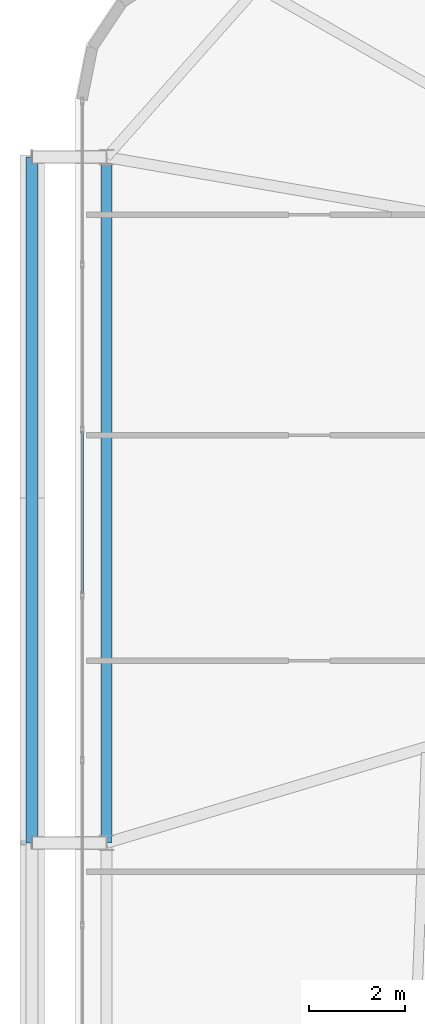
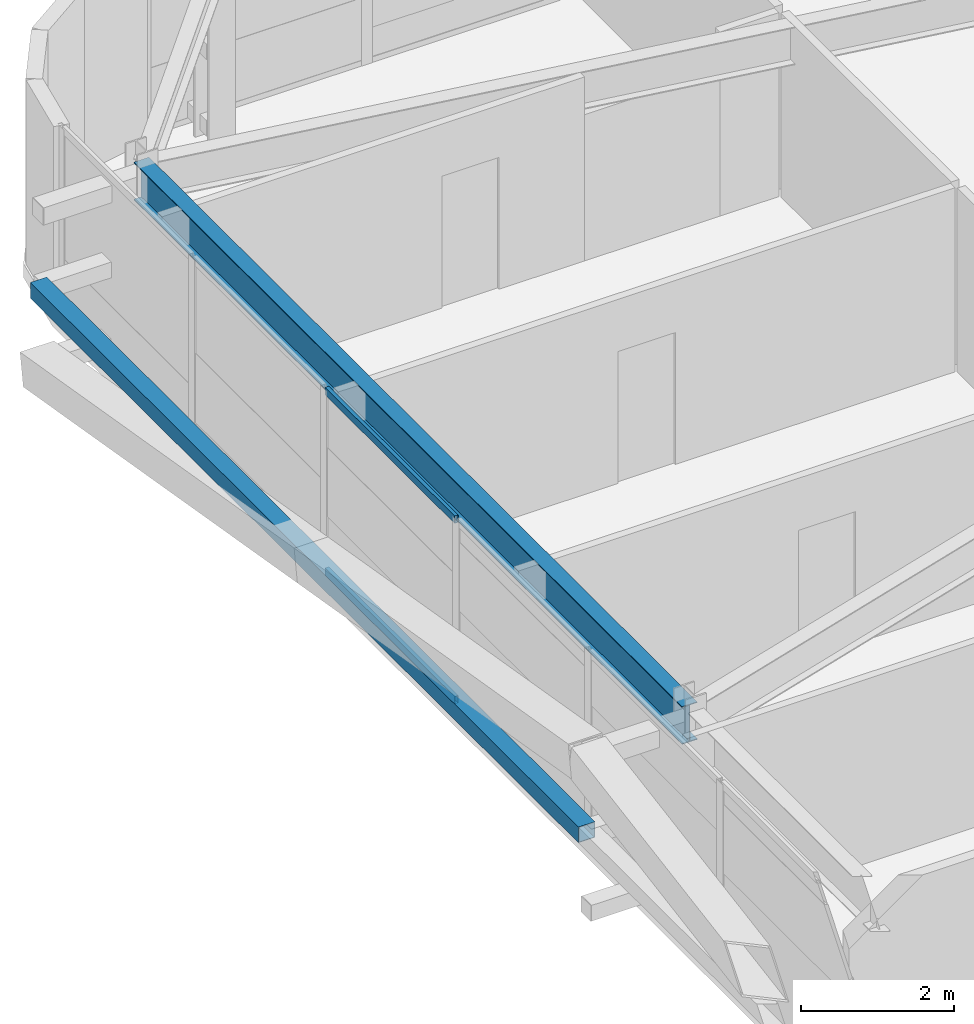
# One storey, part 17 of 59: 3 members, 1 beam, 1 element without a shape of its own.
"""IFC4 building model written with IfcOpenShell, lengths in metres."""

from ifc_helpers import new_model, si_unit, direction, frame, origin, origin_2d, place, context, subcontext, project, spatial, hollow_rectangle, i_section, extrude, source, transform, mapped, material, layer, layer_set, material_profile, profile_set, type_object, element, aggregate, save


model = new_model("IFC4")

# Units and contexts
model_context = context("Model", 3, precision=1e-05, world=origin(), true_north=direction((0.0, 1.0)))
body_context = subcontext(model_context, "Body", "Model", "MODEL_VIEW")
ifc_project = project(units=[si_unit("LENGTHUNIT", "METRE"), si_unit("AREAUNIT", "SQUARE_METRE"), si_unit("VOLUMEUNIT", "CUBIC_METRE"), si_unit("PLANEANGLEUNIT", "RADIAN"), si_unit("MASSUNIT", "GRAM", prefix="KILO")], contexts=[model_context])

# Site, building, storey
site_placement = place(None, origin())
site = spatial("IfcSite", under=ifc_project, at=site_placement, CompositionType="ELEMENT")
building_placement = place(site_placement, origin())
building = spatial("IfcBuilding", under=site, at=building_placement, Name="Taldren Reach Tower", CompositionType="ELEMENT")
storey_placement = place(building_placement, frame((0.0, 0.0, 23.10009765625)))
storey = spatial("IfcBuildingStorey", under=building, at=storey_placement, Name="L06", CompositionType="ELEMENT", Elevation=23.10009765625)

# Beam
ifc_material_1 = material(Name="Steel Gr 350 (350PLUS)", Category="steel")
ifc_material_profile_1 = material_profile(ifc_material_1, i_section(OverallWidth=0.22802734375, OverallDepth=0.60205078125, WebThickness=0.010498046875, FlangeThickness=0.014892578125, at=origin_2d()), Name="610UB101")
ifc_profile_set_1 = profile_set([ifc_material_profile_1], Name="Steel Gr 350 (350PLUS)")
beam_type = type_object("IfcBeamType", Name="BM-UB610B", PredefinedType="BEAM", material=ifc_profile_set_1)
shared_shape_1 = source(origin(), body_context, "Body", "SweptSolid", [
    extrude(i_section(OverallWidth=0.22802734375, OverallDepth=0.60205078125, WebThickness=0.010498046875, FlangeThickness=0.014892578125, at=origin_2d()), origin(), (0.0, 0.0, 1.0), 14.300048828125),
])
beam_placement = place(storey_placement, frame((5.64990234375, 34.300048828125, 2.62890625), z_axis=(0.0, -1.0, 0.0), x_axis=(1.0, 0.0, 0.0)))
element("IfcBeam", 1, at=beam_placement, inside=storey, type_object=beam_type, Name="Perimeter gable girder B1 W3-W2 L06", PredefinedType="BEAM", context=body_context, shape_type="MappedRepresentation", body=[
    mapped(shared_shape_1, transform((0.0, 0.0, 0.0), scale=1.0)),
])

# Member
ifc_material_2 = material(Name="Steel Gr 350 (C350L0)", Category="steel")
ifc_material_profile_2 = material_profile(ifc_material_2, hollow_rectangle(XDim=0.25, YDim=0.25, WallThickness=0.010009765625, at=origin_2d()), Name="250x250x10.0SHS")
ifc_profile_set_2 = profile_set([ifc_material_profile_2], Name="Steel Gr 350 (C350L0)")
member_type_1 = type_object("IfcMemberType", Name="MB-POST250", PredefinedType="POST", material=ifc_profile_set_2)
shared_shape_2 = source(origin(), body_context, "Body", "SweptSolid", [
    extrude(hollow_rectangle(XDim=0.25, YDim=0.25, WallThickness=0.010009765625, at=origin_2d()), origin(), (0.0, 0.0, 1.0), 14.300048828125),
])
member_1_placement = place(storey_placement, frame((4.10009765625, 20.0, 1.434814453125), z_axis=(0.0, 1.0, 0.0), x_axis=(-1.0, 0.0, 0.0)))
element("IfcMember", 2, at=member_1_placement, inside=storey, type_object=member_type_1, Name="Exoskeleton mid-height ring chord B1-W2 L06", PredefinedType="POST", context=body_context, shape_type="MappedRepresentation", body=[
    mapped(shared_shape_2, transform((0.0, 0.0, 0.0), scale=1.0)),
])

# Curtain wall, members
ifc_material_3 = material(Name="Aluminium and Low-E Glass Unitised System", Category="aluminium")
ifc_layer = layer(ifc_material_3, 0.159912109375)
ifc_layer_set = layer_set([ifc_layer], Name="Aluminium and Low-E Glass Unitised System")
curtain_wall_type = type_object("IfcCurtainWallType", Name="CW-SYS-2", PredefinedType="NOTDEFINED", material=ifc_layer_set)
curtain_wall_placement = place(storey_placement, origin())
curtain_wall = element("IfcCurtainWall", 3, at=curtain_wall_placement, inside=storey, type_object=curtain_wall_type, Name="Unitised curtain wall CW-L06-W", PredefinedType="NOTDEFINED")
ifc_material_4 = material(Name="Anodised Aluminium 6063-T6", Category="aluminium")
ifc_material_profile_3 = material_profile(ifc_material_4, hollow_rectangle(XDim=0.054931640625, YDim=0.1201171875, WallThickness=0.0029296875, at=origin_2d()), Name="ALU-120x55x3RHS")
ifc_profile_set_3 = profile_set([ifc_material_profile_3], Name="Anodised Aluminium 6063-T6")
member_type_2 = type_object("IfcMemberType", Name="CW-TRN-135", PredefinedType="USERDEFINED", material=ifc_profile_set_3)
shared_shape_3 = source(origin(), body_context, "Body", "SweptSolid", [
    extrude(hollow_rectangle(XDim=0.054931640625, YDim=0.1201171875, WallThickness=0.0029296875, at=origin_2d()), origin(), (0.0, 0.0, 1.0), 3.37939453125),
])
member_2_placement = place(storey_placement, frame((5.139892578125, 28.57861328125, 0.02734375), z_axis=(0.0, -1.0, 0.0), x_axis=(1.0, 0.0, 0.0)))
member_2 = element("IfcMember", 4, at=member_2_placement, type_object=member_type_2, Name="CW-2 transom 3.1", ObjectType="TRANSOM", PredefinedType="USERDEFINED", context=body_context, shape_type="MappedRepresentation", body=[
    mapped(shared_shape_3, transform((0.0, 0.0, 0.0), scale=1.0)),
])
member_3_placement = place(storey_placement, frame((5.139892578125, 28.57861328125, 2.90234375), z_axis=(0.0, -1.0, 0.0), x_axis=(1.0, 0.0, 0.0)))
member_3 = element("IfcMember", 5, at=member_3_placement, type_object=member_type_2, Name="CW-2 transom 3.2", ObjectType="TRANSOM", PredefinedType="USERDEFINED", context=body_context, shape_type="MappedRepresentation", body=[
    mapped(shared_shape_3, transform((0.0, 0.0, 0.0), scale=1.0)),
])
aggregate(curtain_wall, [member_2, member_3])

save(model, "model.ifc")
